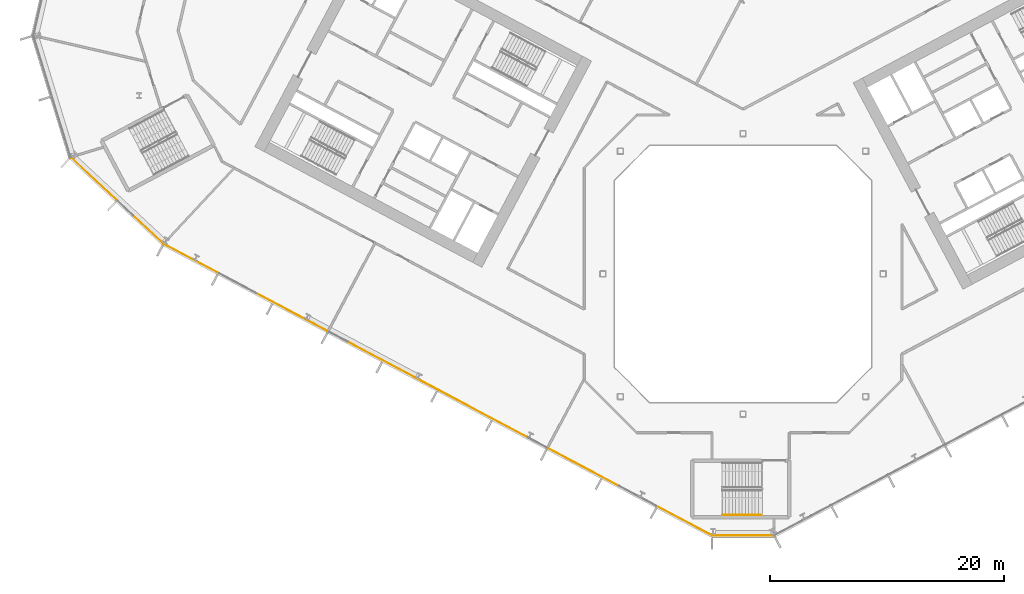
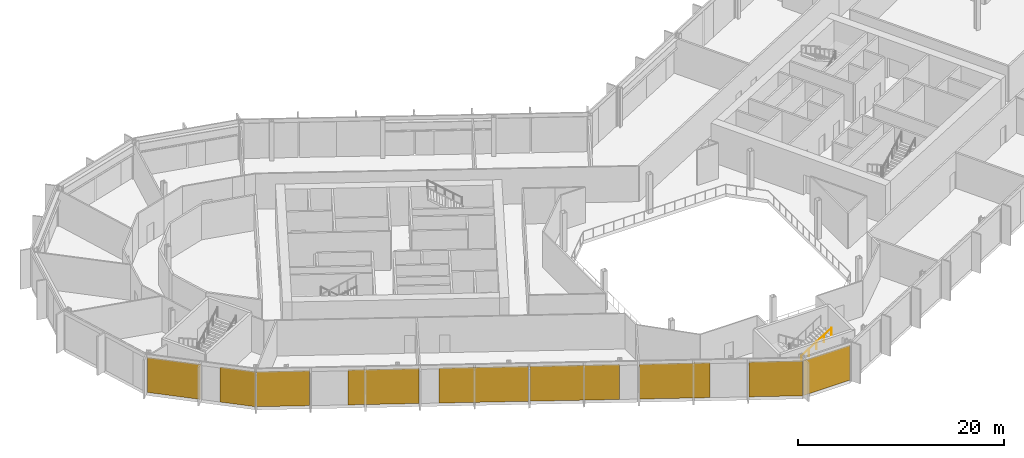
# One storey, part 20 of 30: 9 coverings, 1 railing, 3 elements without a shape of their own.
"""IFC4 building model written with IfcOpenShell, lengths in metres."""

from ifc_helpers import new_model, si_unit, direction, frame, origin, origin_2d, place, context, subcontext, project, spatial, polyline, rectangle, outline, extrude, material, layer, layer_set, type_object, element, aggregate, save


model = new_model("IFC4")

# Units and contexts
model_context = context("Model", 3, precision=1e-05, world=origin(), true_north=direction((0.0, 1.0)))
body_context = subcontext(model_context, "Body", "Model", "MODEL_VIEW")
ifc_project = project(units=[si_unit("LENGTHUNIT", "METRE"), si_unit("AREAUNIT", "SQUARE_METRE"), si_unit("VOLUMEUNIT", "CUBIC_METRE"), si_unit("PLANEANGLEUNIT", "RADIAN"), si_unit("MASSUNIT", "GRAM", prefix="KILO")], contexts=[model_context])

# Site, building, storey
site_placement = place(None, origin())
site = spatial("IfcSite", under=ifc_project, at=site_placement, CompositionType="ELEMENT")
building_placement = place(site_placement, origin())
building = spatial("IfcBuilding", under=site, at=building_placement, Name="Cormorant Relay Tower", CompositionType="ELEMENT")
storey_placement = place(building_placement, frame((0.0, 0.0, 84.60009765625)))
storey = spatial("IfcBuildingStorey", under=building, at=storey_placement, Name="L16", CompositionType="ELEMENT", Elevation=84.60009765625)

# Curtain wall, covering
ifc_material_1 = material(Name="Aluminium 6063-T6 anodised bronze", Category="aluminium")
ifc_layer_1 = layer(ifc_material_1, 0.199951171875)
ifc_layer_set_1 = layer_set([ifc_layer_1], Name="CW1 unitised bronze curtain wall with vertical fins")
curtain_wall_type = type_object("IfcCurtainWallType", Name="CW1 unitised bronze curtain wall with vertical fins", PredefinedType="NOTDEFINED", material=ifc_layer_set_1)
curtain_wall_1_placement = place(storey_placement, origin())
curtain_wall_1 = element("IfcCurtainWall", 1, at=curtain_wall_1_placement, inside=storey, type_object=curtain_wall_type, Name="CW1 curtain wall 1", PredefinedType="NOTDEFINED")
ifc_material_2 = material(Name="Pale bronze anodised aluminium insulated panel", Category="aluminium")
ifc_layer_2 = layer(ifc_material_2, 0.0400390625)
ifc_layer_set_2 = layer_set([ifc_layer_2], Name="CW1 pale bronze insulated panel 40")
covering_type = type_object("IfcCoveringType", Name="CW1 pale bronze insulated panel 40", PredefinedType="CLADDING", material=ifc_layer_set_2)
covering_1_placement = place(storey_placement, frame((0.03759765625, -22.3955078125, 0.0), z_axis=(0.0, 0.0, 1.0), x_axis=(1.0, 0.0, 0.0)))
covering_1 = element("IfcCovering", 2, at=covering_1_placement, type_object=covering_type, Name="CW1 panel S00", PredefinedType="CLADDING", context=body_context, shape_type="SweptSolid", body=[
    extrude(rectangle(XDim=5.22265625, YDim=0.0400390625, at=origin_2d()), origin(), (0.0, 0.0, 1.0), 4.14990234375),
])
aggregate(curtain_wall_1, [covering_1])

# Curtain wall, coverings
curtain_wall_2_placement = place(storey_placement, origin())
curtain_wall_2 = element("IfcCurtainWall", 3, at=curtain_wall_2_placement, inside=storey, type_object=curtain_wall_type, Name="CW1 curtain wall 13", PredefinedType="NOTDEFINED")
covering_2_placement = place(storey_placement, frame((-55.56787109375, 8.1298828125, 0.0), z_axis=(0.0, 0.0, 1.0), x_axis=(0.731353701619, -0.681998360062, 0.0)))
covering_2 = element("IfcCovering", 4, at=covering_2_placement, type_object=covering_type, Name="CW1 panel S00", PredefinedType="CLADDING", context=body_context, shape_type="SweptSolid", body=[
    extrude(rectangle(XDim=5.28515625, YDim=0.0400390625, at=origin_2d()), origin(), (0.0, 0.0, 1.0), 4.14990234375),
])
covering_3_placement = place(storey_placement, frame((-50.906982421875, 3.78369140625, 0.0), z_axis=(0.0, 0.0, 1.0), x_axis=(0.731353701619, -0.681998360062, 0.0)))
covering_3 = element("IfcCovering", 5, at=covering_3_placement, type_object=covering_type, Name="CW1 panel S02", PredefinedType="CLADDING", context=body_context, shape_type="SweptSolid", body=[
    extrude(rectangle(XDim=3.560302734375, YDim=0.0400390625, at=origin_2d()), origin(), (0.0, 0.0, 1.0), 4.14990234375),
])
aggregate(curtain_wall_2, [covering_2, covering_3])

curtain_wall_3_placement = place(storey_placement, origin())
curtain_wall_3 = element("IfcCurtainWall", 6, at=curtain_wall_3_placement, inside=storey, type_object=curtain_wall_type, Name="CW1 curtain wall 14", PredefinedType="NOTDEFINED")
covering_4_placement = place(storey_placement, frame((-47.25390625, 1.318603515625, 0.0), z_axis=(0.0, 0.0, 1.0), x_axis=(0.882947592859, -0.469471562786, 0.0)))
covering_4 = element("IfcCovering", 7, at=covering_4_placement, type_object=covering_type, Name="CW1 panel S00", PredefinedType="CLADDING", context=body_context, shape_type="SweptSolid", body=[
    extrude(rectangle(XDim=5.16650390625, YDim=0.0400390625, at=origin_2d()), origin(), (0.0, 0.0, 1.0), 4.14990234375),
])
covering_5_placement = place(storey_placement, frame((-38.623046875, -3.2705078125, 0.0), z_axis=(0.0, 0.0, 1.0), x_axis=(0.882947592859, -0.469471562786, 0.0)))
covering_5 = element("IfcCovering", 8, at=covering_5_placement, type_object=covering_type, Name="CW1 panel S02", PredefinedType="CLADDING", context=body_context, shape_type="SweptSolid", body=[
    extrude(rectangle(XDim=6.88330078125, YDim=0.0400390625, at=origin_2d()), origin(), (0.0, 0.0, 1.0), 4.14990234375),
])
covering_6_placement = place(storey_placement, frame((-30.029296875, -7.83984375, 0.0), z_axis=(0.0, 0.0, 1.0), x_axis=(0.882947592859, -0.469471562786, 0.0)))
covering_6 = element("IfcCovering", 9, at=covering_6_placement, type_object=covering_type, Name="CW1 panel S04", PredefinedType="CLADDING", context=body_context, shape_type="SweptSolid", body=[
    extrude(rectangle(XDim=8.68310546875, YDim=0.0400390625, at=origin_2d()), origin(), (0.0, 0.0, 1.0), 4.14990234375),
])
covering_7_placement = place(storey_placement, frame((-22.22998046875, -11.98681640625, 0.0), z_axis=(0.0, 0.0, 1.0), x_axis=(0.882947592859, -0.469471562786, 0.0)))
covering_7 = element("IfcCovering", 10, at=covering_7_placement, type_object=covering_type, Name="CW1 panel S05", PredefinedType="CLADDING", context=body_context, shape_type="SweptSolid", body=[
    extrude(rectangle(XDim=8.68310546875, YDim=0.0400390625, at=origin_2d()), origin(), (0.0, 0.0, 1.0), 4.14990234375),
])
covering_8_placement = place(storey_placement, frame((-13.635986328125, -16.55615234375, 0.0), z_axis=(0.0, 0.0, 1.0), x_axis=(0.882947592859, -0.469471562786, 0.0)))
covering_8 = element("IfcCovering", 11, at=covering_8_placement, type_object=covering_type, Name="CW1 panel S07", PredefinedType="CLADDING", context=body_context, shape_type="SweptSolid", body=[
    extrude(rectangle(XDim=6.88330078125, YDim=0.0400390625, at=origin_2d()), origin(), (0.0, 0.0, 1.0), 4.14990234375),
])
covering_9_placement = place(storey_placement, frame((-4.972412109375, -21.162841796875, 0.0), z_axis=(0.0, 0.0, 1.0), x_axis=(0.882947592859, -0.469471562786, 0.0)))
covering_9 = element("IfcCovering", 12, at=covering_9_placement, type_object=covering_type, Name="CW1 panel S09", PredefinedType="CLADDING", context=body_context, shape_type="SweptSolid", body=[
    extrude(rectangle(XDim=5.24169921875, YDim=0.0400390625, at=origin_2d()), origin(), (0.0, 0.0, 1.0), 4.14990234375),
])
aggregate(curtain_wall_3, [covering_4, covering_5, covering_6, covering_7, covering_8, covering_9])

# Railing
ifc_material_3 = material(Name="Steel ASTM A572 Grade 50 (Fy 345 MPa)", Category="steel")
railing_type = type_object("IfcRailingType", Name="Stair handrail 900", PredefinedType="HANDRAIL", material=ifc_material_3)
railing_placement = place(storey_placement, frame((-1.760009765625, -20.625, 2.476806640625)))
element("IfcRailing", 13, at=railing_placement, inside=storey, type_object=railing_type, Name="L16 RK1 stair handrail 2", PredefinedType="HANDRAIL", context=body_context, shape_type="SweptSolid", body=[
    extrude(outline(polyline([(0.022216796875, 0.00927734375), (0.00927734375, 0.022216796875), (-0.00927734375, 0.022216796875), (-0.022216796875, 0.00927734375), (-0.022216796875, -0.00927734375), (-0.00927734375, -0.022216796875), (0.00927734375, -0.022216796875), (0.022216796875, -0.00927734375), (0.022216796875, 0.00927734375)])), frame((0.0, 0.0, 0.8759765625), z_axis=(0.845389635667, 0.0, 0.534150132366), x_axis=(0.0, 1.0, 0.0)), (0.0, 0.0, 1.0), 3.974609375),
    extrude(outline(polyline([(0.019287109375, 0.008056640625), (0.008056640625, 0.019287109375), (-0.008056640625, 0.019287109375), (-0.019287109375, 0.008056640625), (-0.019287109375, -0.008056640625), (-0.008056640625, -0.019287109375), (0.008056640625, -0.019287109375), (0.019287109375, -0.008056640625), (0.019287109375, 0.008056640625)])), origin(), (0.0, 0.0, 1.0), 0.851806640625),
    extrude(outline(polyline([(0.019287109375, 0.008056640625), (0.008056640625, 0.019287109375), (-0.008056640625, 0.019287109375), (-0.019287109375, 0.008056640625), (-0.019287109375, -0.008056640625), (-0.008056640625, -0.019287109375), (0.008056640625, -0.019287109375), (0.019287109375, -0.008056640625), (0.019287109375, 0.008056640625)])), frame((0.840087890625, 0.0, 0.53076171875)), (0.0, 0.0, 1.0), 0.851806640625),
    extrude(outline(polyline([(0.019287109375, 0.008056640625), (0.008056640625, 0.019287109375), (-0.008056640625, 0.019287109375), (-0.019287109375, 0.008056640625), (-0.019287109375, -0.008056640625), (-0.008056640625, -0.019287109375), (0.008056640625, -0.019287109375), (0.019287109375, -0.008056640625), (0.019287109375, 0.008056640625)])), frame((1.68017578125, 0.0, 1.0615234375)), (0.0, 0.0, 1.0), 0.851806640625),
    extrude(outline(polyline([(0.019287109375, 0.008056640625), (0.008056640625, 0.019287109375), (-0.008056640625, 0.019287109375), (-0.019287109375, 0.008056640625), (-0.019287109375, -0.008056640625), (-0.008056640625, -0.019287109375), (0.008056640625, -0.019287109375), (0.019287109375, -0.008056640625), (0.019287109375, 0.008056640625)])), frame((2.52001953125, 0.0, 1.59228515625)), (0.0, 0.0, 1.0), 0.851806640625),
    extrude(outline(polyline([(0.019287109375, 0.008056640625), (0.008056640625, 0.019287109375), (-0.008056640625, 0.019287109375), (-0.019287109375, 0.008056640625), (-0.019287109375, -0.008056640625), (-0.008056640625, -0.019287109375), (0.008056640625, -0.019287109375), (0.019287109375, -0.008056640625), (0.019287109375, 0.008056640625)])), frame((3.360107421875, 0.0, 2.123046875)), (0.0, 0.0, 1.0), 0.851806640625),
])

save(model, "model.ifc")
